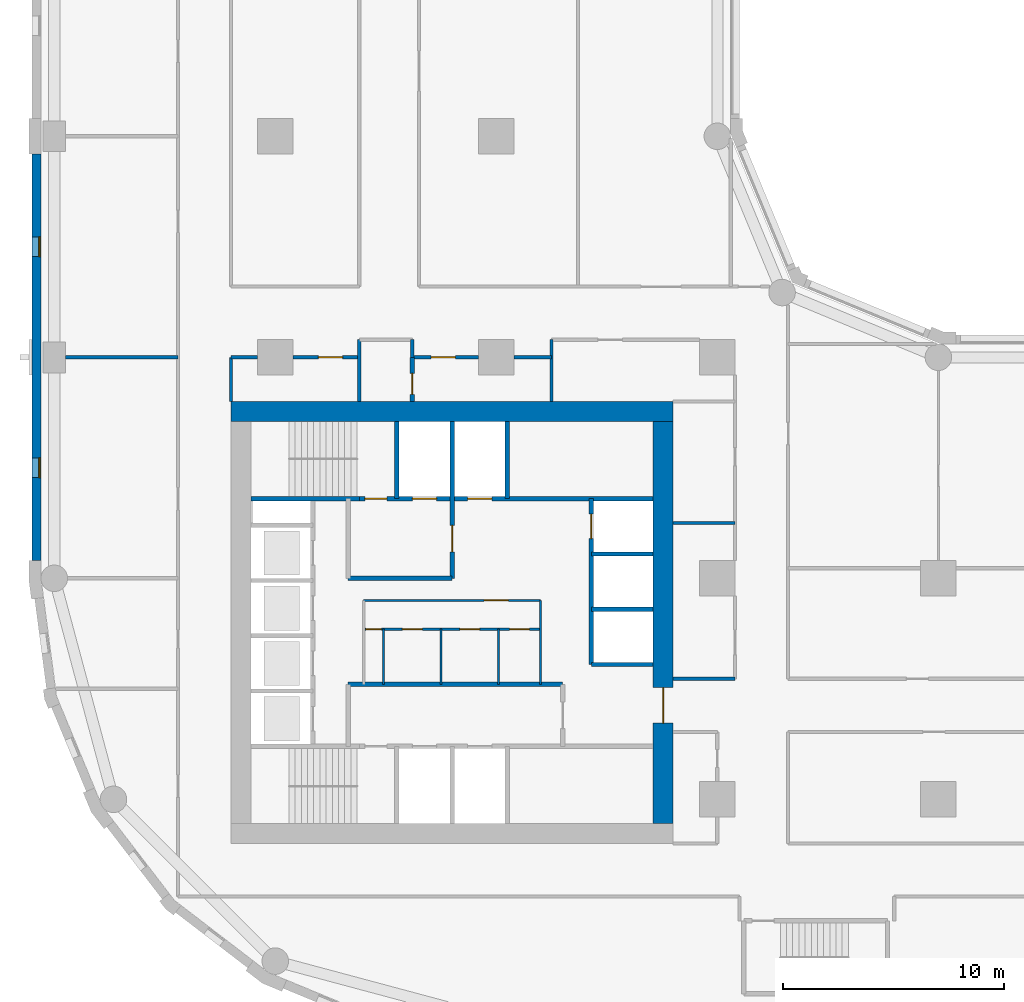
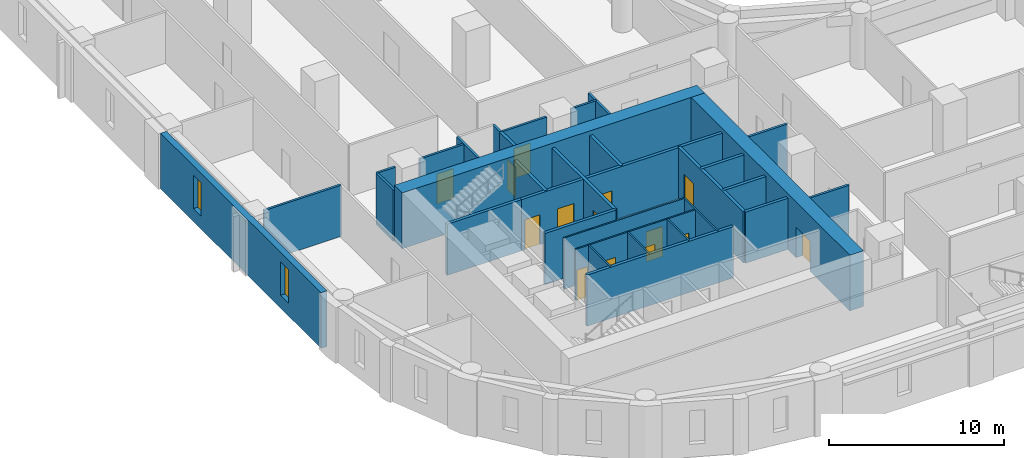
# One storey, part 3 of 10: 32 walls, 14 doors, 2 windows, 16 openings.
"""IFC4 building model written with IfcOpenShell, lengths in metres."""

from ifc_helpers import new_model, si_unit, direction, frame, frame_2d, origin, place, context, subcontext, project, spatial, rectangle, extrude, material, layer, layer_set, type_object, element, fill, save


model = new_model("IFC4")

# Units and contexts
model_context = context("Model", 3, precision=1e-05, world=origin(), true_north=direction((0.0, 1.0)))
body_context = subcontext(model_context, "Body", "Model", "MODEL_VIEW")
ifc_project = project(units=[si_unit("LENGTHUNIT", "METRE"), si_unit("AREAUNIT", "SQUARE_METRE"), si_unit("VOLUMEUNIT", "CUBIC_METRE"), si_unit("PLANEANGLEUNIT", "RADIAN"), si_unit("MASSUNIT", "GRAM", prefix="KILO")], contexts=[model_context])

# Site, building, storey
site_placement = place(None, origin())
site = spatial("IfcSite", under=ifc_project, at=site_placement, CompositionType="ELEMENT")
building_placement = place(site_placement, origin())
building = spatial("IfcBuilding", under=site, at=building_placement, Name="Qaws Garden Tower", CompositionType="ELEMENT")
storey_placement = place(building_placement, frame((0.0, 0.0, 74.39990234375)))
storey = spatial("IfcBuildingStorey", under=building, at=storey_placement, Name="L18", CompositionType="ELEMENT", Elevation=74.39990234375)

# Wall, opening, door
ifc_material_1 = material(Name="Blockwork", Category="masonry")
ifc_layer_1 = layer(ifc_material_1, 0.199951171875)
ifc_layer_set_1 = layer_set([ifc_layer_1], Name="Blockwork")
wall_type_1 = type_object("IfcWallType", Name="BLOCK WALL 200 EI 60", PredefinedType="PARTITIONING", material=ifc_layer_set_1)
wall_1_placement = place(storey_placement, frame((16.199951171875, 28.0, 0.0), z_axis=(0.0, 0.0, 1.0), x_axis=(0.0, 1.0, 0.0)))
wall_1 = element("IfcWall", 1, at=wall_1_placement, inside=storey, type_object=wall_type_1, Name="O-L18-wall-066", PredefinedType="PARTITIONING", context=body_context, shape_type="SweptSolid", body=[
    extrude(rectangle(XDim=2.0, YDim=0.199951171875, at=frame_2d((1.0, 0.0))), origin(), (0.0, 0.0, 1.0), 3.580078125),
])
opening_1_placement = place(wall_1_placement, frame((0.324951171875, 0.0, 0.0)))
opening_1 = element("IfcOpeningElement", 2, at=opening_1_placement, cuts=wall_1, Name="Opening A629", PredefinedType="OPENING", context=body_context, shape_type="SweptSolid", body=[
    extrude(rectangle(XDim=0.949951171875, YDim=2.10009765625, at=frame_2d((0.47509765625, 1.050048828125))), frame((0.0, 0.10986328125, 0.0), z_axis=(0.0, -1.0, 0.0), x_axis=(1.0, 0.0, 0.0)), (0.0, 0.0, 1.0), 0.219970703125),
])
ifc_material_2 = material(Name="Timber and glass door leaf", Category="wood")
door_type_1 = type_object("IfcDoorType", Name="GLAZED DOOR 950 X 2100", OperationType="SINGLE_SWING_LEFT", PredefinedType="DOOR", material=ifc_material_2)
door_1_placement = place(opening_1_placement, origin())
door_1 = element("IfcDoor", 3, at=door_1_placement, inside=storey, type_object=door_type_1, Name="O-L18-door-029", OperationType="SINGLE_SWING_LEFT", OverallHeight=2.10009765625, OverallWidth=0.949951171875, PredefinedType="DOOR", context=body_context, shape_type="SweptSolid", body=[
    extrude(rectangle(XDim=0.949951171875, YDim=2.10009765625, at=frame_2d((0.47509765625, 1.050048828125))), frame((0.0, 0.02490234375, 0.0), z_axis=(0.0, -1.0, 0.0), x_axis=(1.0, 0.0, 0.0)), (0.0, 0.0, 1.0), 0.050048828125),
])
fill(opening_1, door_1)

# Wall, openings, windows
ifc_material_3 = material(Name="Clay facing brick masonry", Category="masonry")
ifc_layer_2 = layer(ifc_material_3, 0.39990234375)
ifc_layer_set_2 = layer_set([ifc_layer_2], Name="Clay facing brick masonry")
wall_type_2 = type_object("IfcWallType", Name="Brick infill wall 400", PredefinedType="SOLIDWALL", material=ifc_layer_set_2)
wall_2_placement = place(storey_placement, frame((-0.800048828125, 39.199951171875, 0.0), z_axis=(0.0, 0.0, 1.0), x_axis=(0.0, -1.0, 0.0)))
wall_2 = element("IfcWall", 4, at=wall_2_placement, inside=storey, type_object=wall_type_2, Name="E-L18-infill-25", PredefinedType="SOLIDWALL", context=body_context, shape_type="SweptSolid", body=[
    extrude(rectangle(XDim=18.39990234375, YDim=0.39990234375, at=frame_2d((9.199951171875, 0.0))), origin(), (0.0, 0.0, 1.0), 3.900146484375),
])
opening_2_placement = place(wall_2_placement, frame((3.75, 0.0, 0.89990234375)))
opening_2 = element("IfcOpeningElement", 5, at=opening_2_placement, cuts=wall_2, Name="Opening W09", PredefinedType="OPENING", context=body_context, shape_type="SweptSolid", body=[
    extrude(rectangle(XDim=0.89990234375, YDim=2.35009765625, at=frame_2d((0.449951171875, 1.175048828125))), frame((0.0, 0.2099609375, 0.0), z_axis=(0.0, -1.0, 0.0), x_axis=(1.0, 0.0, 0.0)), (0.0, 0.0, 1.0), 0.419921875),
])
opening_3_placement = place(wall_2_placement, frame((13.75, 0.0, 0.89990234375)))
opening_3 = element("IfcOpeningElement", 6, at=opening_3_placement, cuts=wall_2, Name="Opening W09", PredefinedType="OPENING", context=body_context, shape_type="SweptSolid", body=[
    extrude(rectangle(XDim=0.89990234375, YDim=2.35009765625, at=frame_2d((0.449951171875, 1.175048828125))), frame((0.0, 0.2099609375, 0.0), z_axis=(0.0, -1.0, 0.0), x_axis=(1.0, 0.0, 0.0)), (0.0, 0.0, 1.0), 0.419921875),
])
ifc_material_4 = material(Name="Aluminium framed window, clear glazing", Category="aluminium")
window_type = type_object("IfcWindowType", Name="Slit window 900 x 2350", PartitioningType="SINGLE_PANEL", PredefinedType="WINDOW", material=ifc_material_4)
window_1_placement = place(opening_2_placement, origin())
window_1 = element("IfcWindow", 7, at=window_1_placement, inside=storey, type_object=window_type, Name="E-L18-window-25-0", OverallHeight=2.35009765625, OverallWidth=0.89990234375, PartitioningType="SINGLE_PANEL", PredefinedType="WINDOW", context=body_context, shape_type="SweptSolid", body=[
    extrude(rectangle(XDim=0.89990234375, YDim=2.35009765625, at=frame_2d((0.449951171875, 1.175048828125))), frame((0.0, 0.159912109375, 0.0), z_axis=(0.0, -1.0, 0.0), x_axis=(1.0, 0.0, 0.0)), (0.0, 0.0, 1.0), 0.06005859375),
])
fill(opening_2, window_1)
window_2_placement = place(opening_3_placement, origin())
window_2 = element("IfcWindow", 8, at=window_2_placement, inside=storey, type_object=window_type, Name="E-L18-window-26-0", OverallHeight=2.35009765625, OverallWidth=0.89990234375, PartitioningType="SINGLE_PANEL", PredefinedType="WINDOW", context=body_context, shape_type="SweptSolid", body=[
    extrude(rectangle(XDim=0.89990234375, YDim=2.35009765625, at=frame_2d((0.449951171875, 1.175048828125))), frame((0.0, 0.159912109375, 0.0), z_axis=(0.0, -1.0, 0.0), x_axis=(1.0, 0.0, 0.0)), (0.0, 0.0, 1.0), 0.06005859375),
])
fill(opening_3, window_2)

# Wall, openings, doors
ifc_material_5 = material(Name="Plasterboard")
ifc_layer_3 = layer(ifc_material_5, 0.10009765625)
ifc_layer_set_3 = layer_set([ifc_layer_3], Name="Plasterboard")
wall_type_3 = type_object("IfcWallType", Name="Core partition 100", PredefinedType="PARTITIONING", material=ifc_layer_set_3)
wall_3_placement = place(storey_placement, frame((14.0, 17.699951171875, 0.0), z_axis=(0.0, 0.0, 1.0), x_axis=(1.0, 0.0, 0.0)))
wall_3 = element("IfcWall", 9, at=wall_3_placement, inside=storey, type_object=wall_type_3, Name="Core partition", PredefinedType="PARTITIONING", context=body_context, shape_type="SweptSolid", body=[
    extrude(rectangle(XDim=8.0, YDim=0.10009765625, at=frame_2d((4.0, 0.0))), origin(), (0.0, 0.0, 1.0), 3.580078125),
])
opening_4_placement = place(wall_3_placement, frame((0.10009765625, 0.0, 0.0)))
opening_4 = element("IfcOpeningElement", 10, at=opening_4_placement, cuts=wall_3, Name="Opening XD18", PredefinedType="OPENING", context=body_context, shape_type="SweptSolid", body=[
    extrude(rectangle(XDim=0.699951171875, YDim=2.10009765625, at=frame_2d((0.35009765625, 1.050048828125))), frame((0.0, 0.06005859375, 0.0), z_axis=(0.0, -1.0, 0.0), x_axis=(1.0, 0.0, 0.0)), (0.0, 0.0, 1.0), 0.1201171875),
])
opening_5_placement = place(wall_3_placement, frame((1.75, 0.0, 0.0)))
opening_5 = element("IfcOpeningElement", 11, at=opening_5_placement, cuts=wall_3, Name="Opening WD19", PredefinedType="OPENING", context=body_context, shape_type="SweptSolid", body=[
    extrude(rectangle(XDim=0.89990234375, YDim=2.10009765625, at=frame_2d((0.449951171875, 1.050048828125))), frame((0.0, 0.06005859375, 0.0), z_axis=(0.0, -1.0, 0.0), x_axis=(1.0, 0.0, 0.0)), (0.0, 0.0, 1.0), 0.1201171875),
])
opening_6_placement = place(wall_3_placement, frame((4.35009765625, 0.0, 0.0)))
opening_6 = element("IfcOpeningElement", 12, at=opening_6_placement, cuts=wall_3, Name="Opening WD20", PredefinedType="OPENING", context=body_context, shape_type="SweptSolid", body=[
    extrude(rectangle(XDim=0.89990234375, YDim=2.10009765625, at=frame_2d((0.449951171875, 1.050048828125))), frame((0.0, 0.06005859375, 0.0), z_axis=(0.0, -1.0, 0.0), x_axis=(1.0, 0.0, 0.0)), (0.0, 0.0, 1.0), 0.1201171875),
])
opening_7_placement = place(wall_3_placement, frame((6.60009765625, 0.0, 0.0)))
opening_7 = element("IfcOpeningElement", 13, at=opening_7_placement, cuts=wall_3, Name="Opening WD21", PredefinedType="OPENING", context=body_context, shape_type="SweptSolid", body=[
    extrude(rectangle(XDim=0.89990234375, YDim=2.10009765625, at=frame_2d((0.449951171875, 1.050048828125))), frame((0.0, 0.06005859375, 0.0), z_axis=(0.0, -1.0, 0.0), x_axis=(1.0, 0.0, 0.0)), (0.0, 0.0, 1.0), 0.1201171875),
])
ifc_material_6 = material(Name="Timber", Category="wood")
door_type_2 = type_object("IfcDoorType", Name="Store door 700x2100", OperationType="SINGLE_SWING_LEFT", PredefinedType="DOOR", material=ifc_material_6)
door_2_placement = place(opening_4_placement, frame((0.699951171875, 0.0, 0.0), z_axis=(0.0, 0.0, 1.0), x_axis=(-1.0, 0.0, 0.0)))
door_2 = element("IfcDoor", 14, at=door_2_placement, inside=storey, type_object=door_type_2, Name="Cleaner's store door", OperationType="SINGLE_SWING_LEFT", OverallHeight=2.10009765625, OverallWidth=0.699951171875, PredefinedType="DOOR", context=body_context, shape_type="SweptSolid", body=[
    extrude(rectangle(XDim=0.699951171875, YDim=2.10009765625, at=frame_2d((0.35009765625, 1.050048828125))), frame((0.0, 0.02490234375, 0.0), z_axis=(0.0, -1.0, 0.0), x_axis=(1.0, 0.0, 0.0)), (0.0, 0.0, 1.0), 0.050048828125),
])
fill(opening_4, door_2)
ifc_material_7 = material(Name="Timber", Category="wood")
door_type_3 = type_object("IfcDoorType", Name="WC door 900x2100", OperationType="SINGLE_SWING_LEFT", PredefinedType="DOOR", material=ifc_material_7)
door_3_placement = place(opening_5_placement, frame((0.89990234375, 0.0, 0.0), z_axis=(0.0, 0.0, 1.0), x_axis=(-1.0, 0.0, 0.0)))
door_3 = element("IfcDoor", 15, at=door_3_placement, inside=storey, type_object=door_type_3, Name="Men's WC door", OperationType="SINGLE_SWING_LEFT", OverallHeight=2.10009765625, OverallWidth=0.89990234375, PredefinedType="DOOR", context=body_context, shape_type="SweptSolid", body=[
    extrude(rectangle(XDim=0.89990234375, YDim=2.10009765625, at=frame_2d((0.449951171875, 1.050048828125))), frame((0.0, 0.02490234375, 0.0), z_axis=(0.0, -1.0, 0.0), x_axis=(1.0, 0.0, 0.0)), (0.0, 0.0, 1.0), 0.050048828125),
])
fill(opening_5, door_3)
door_4_placement = place(opening_6_placement, frame((0.89990234375, 0.0, 0.0), z_axis=(0.0, 0.0, 1.0), x_axis=(-1.0, 0.0, 0.0)))
door_4 = element("IfcDoor", 16, at=door_4_placement, inside=storey, type_object=door_type_3, Name="Women's WC door", OperationType="SINGLE_SWING_LEFT", OverallHeight=2.10009765625, OverallWidth=0.89990234375, PredefinedType="DOOR", context=body_context, shape_type="SweptSolid", body=[
    extrude(rectangle(XDim=0.89990234375, YDim=2.10009765625, at=frame_2d((0.449951171875, 1.050048828125))), frame((0.0, 0.02490234375, 0.0), z_axis=(0.0, -1.0, 0.0), x_axis=(1.0, 0.0, 0.0)), (0.0, 0.0, 1.0), 0.050048828125),
])
fill(opening_6, door_4)
door_5_placement = place(opening_7_placement, frame((0.89990234375, 0.0, 0.0), z_axis=(0.0, 0.0, 1.0), x_axis=(-1.0, 0.0, 0.0)))
door_5 = element("IfcDoor", 17, at=door_5_placement, inside=storey, type_object=door_type_3, Name="Accessible WC door", OperationType="SINGLE_SWING_LEFT", OverallHeight=2.10009765625, OverallWidth=0.89990234375, PredefinedType="DOOR", context=body_context, shape_type="SweptSolid", body=[
    extrude(rectangle(XDim=0.89990234375, YDim=2.10009765625, at=frame_2d((0.449951171875, 1.050048828125))), frame((0.0, 0.02490234375, 0.0), z_axis=(0.0, -1.0, 0.0), x_axis=(1.0, 0.0, 0.0)), (0.0, 0.0, 1.0), 0.050048828125),
])
fill(opening_7, door_5)

# Wall, opening, door
wall_4_placement = place(storey_placement, frame((14.0, 19.0, 0.0), z_axis=(0.0, 0.0, 1.0), x_axis=(1.0, 0.0, 0.0)))
wall_4 = element("IfcWall", 18, at=wall_4_placement, inside=storey, type_object=wall_type_3, Name="Core partition", PredefinedType="PARTITIONING", context=body_context, shape_type="SweptSolid", body=[
    extrude(rectangle(XDim=8.0, YDim=0.10009765625, at=frame_2d((4.0, 0.0))), origin(), (0.0, 0.0, 1.0), 3.580078125),
])
opening_8_placement = place(wall_4_placement, frame((5.449951171875, 0.0, 0.0)))
opening_8 = element("IfcOpeningElement", 19, at=opening_8_placement, cuts=wall_4, Name="Opening WL17", PredefinedType="OPENING", context=body_context, shape_type="SweptSolid", body=[
    extrude(rectangle(XDim=1.10009765625, YDim=2.10009765625, at=frame_2d((0.550048828125, 1.050048828125))), frame((0.0, 0.06005859375, 0.0), z_axis=(0.0, -1.0, 0.0), x_axis=(1.0, 0.0, 0.0)), (0.0, 0.0, 1.0), 0.1201171875),
])
ifc_material_8 = material(Name="Timber", Category="wood")
door_type_4 = type_object("IfcDoorType", Name="WC lobby door 1100x2100", OperationType="SINGLE_SWING_LEFT", PredefinedType="DOOR", material=ifc_material_8)
door_6_placement = place(opening_8_placement, frame((1.10009765625, 0.0, 0.0), z_axis=(0.0, 0.0, 1.0), x_axis=(-1.0, 0.0, 0.0)))
door_6 = element("IfcDoor", 20, at=door_6_placement, inside=storey, type_object=door_type_4, Name="WC lobby door", OperationType="SINGLE_SWING_LEFT", OverallHeight=2.10009765625, OverallWidth=1.10009765625, PredefinedType="DOOR", context=body_context, shape_type="SweptSolid", body=[
    extrude(rectangle(XDim=1.10009765625, YDim=2.10009765625, at=frame_2d((0.550048828125, 1.050048828125))), frame((0.0, 0.02490234375, 0.0), z_axis=(0.0, -1.0, 0.0), x_axis=(1.0, 0.0, 0.0)), (0.0, 0.0, 1.0), 0.050048828125),
])
fill(opening_8, door_6)

# Walls
for number, where, z_axis, x_axis, name in (
    (21, (14.89990234375, 15.199951171875, 0.0), (0.0, 0.0, 1.0), (0.0, 1.0, 0.0), "Core partition"),
    (22, (17.5, 15.199951171875, 0.0), (0.0, 0.0, 1.0), (0.0, 1.0, 0.0), "Core partition"),
    (23, (20.10009765625, 15.199951171875, 0.0), (0.0, 0.0, 1.0), (0.0, 1.0, 0.0), "Core partition"),
):
    element("IfcWall", number, at=place(storey_placement, frame(where, z_axis=z_axis, x_axis=x_axis)), inside=storey, type_object=wall_type_3, Name=name, PredefinedType="PARTITIONING", context=body_context, shape_type="SweptSolid", body=[
        extrude(rectangle(XDim=2.5, YDim=0.10009765625, at=frame_2d((1.25, 0.0))), origin(), (0.0, 0.0, 1.0), 3.580078125),
    ])
wall_5_placement = place(storey_placement, frame((22.0, 15.199951171875, 0.0), z_axis=(0.0, 0.0, 1.0), x_axis=(0.0, 1.0, 0.0)))
element("IfcWall", 24, at=wall_5_placement, inside=storey, type_object=wall_type_3, Name="Core partition", PredefinedType="PARTITIONING", context=body_context, shape_type="SweptSolid", body=[
    extrude(rectangle(XDim=3.800048828125, YDim=0.10009765625, at=frame_2d((1.89990234375, 0.0))), origin(), (0.0, 0.0, 1.0), 3.580078125),
])
ifc_material_9 = material(Name="Concrete C80", Category="concrete")
ifc_layer_4 = layer(ifc_material_9, 0.199951171875)
ifc_layer_set_4 = layer_set([ifc_layer_4], Name="Concrete C80")
wall_type_4 = type_object("IfcWallType", Name="Core shaft wall 200 C80", PredefinedType="SHEAR", material=ifc_layer_set_4)
wall_6_placement = place(storey_placement, frame((13.300048828125, 15.199951171875, 0.0), z_axis=(0.0, 0.0, 1.0), x_axis=(1.0, 0.0, 0.0)))
element("IfcWall", 25, at=wall_6_placement, inside=storey, type_object=wall_type_4, Name="Shaft wall", PredefinedType="SHEAR", context=body_context, shape_type="SweptSolid", body=[
    extrude(rectangle(XDim=9.699951171875, YDim=0.199951171875, at=frame_2d((4.85009765625, 0.0))), origin(), (0.0, 0.0, 1.0), 3.580078125),
])
for number, where, z_axis, x_axis, name in (
    (26, (24.300048828125, 16.10009765625, 0.0), (0.0, 0.0, 1.0), (1.0, 0.0, 0.0), "Shaft wall"),
    (27, (24.300048828125, 18.60009765625, 0.0), (0.0, 0.0, 1.0), (1.0, 0.0, 0.0), "Shaft wall"),
):
    element("IfcWall", number, at=place(storey_placement, frame(where, z_axis=z_axis, x_axis=x_axis)), inside=storey, type_object=wall_type_4, Name=name, PredefinedType="SHEAR", context=body_context, shape_type="SweptSolid", body=[
        extrude(rectangle(XDim=2.800048828125, YDim=0.199951171875, at=frame_2d((1.39990234375, 0.0))), origin(), (0.0, 0.0, 1.0), 3.580078125),
    ])
wall_7_placement = place(storey_placement, frame((13.300048828125, 20.0, 0.0), z_axis=(0.0, 0.0, 1.0), x_axis=(1.0, 0.0, 0.0)))
element("IfcWall", 28, at=wall_7_placement, inside=storey, type_object=wall_type_4, Name="Shaft wall", PredefinedType="SHEAR", context=body_context, shape_type="SweptSolid", body=[
    extrude(rectangle(XDim=4.699951171875, YDim=0.199951171875, at=frame_2d((2.35009765625, 0.0))), origin(), (0.0, 0.0, 1.0), 3.580078125),
])
wall_8_placement = place(storey_placement, frame((24.300048828125, 21.10009765625, 0.0), z_axis=(0.0, 0.0, 1.0), x_axis=(1.0, 0.0, 0.0)))
element("IfcWall", 29, at=wall_8_placement, inside=storey, type_object=wall_type_4, Name="Shaft wall", PredefinedType="SHEAR", context=body_context, shape_type="SweptSolid", body=[
    extrude(rectangle(XDim=2.800048828125, YDim=0.199951171875, at=frame_2d((1.39990234375, 0.0))), origin(), (0.0, 0.0, 1.0), 3.580078125),
])
wall_9_placement = place(storey_placement, frame((8.89990234375, 23.60009765625, 0.0), z_axis=(0.0, 0.0, 1.0), x_axis=(1.0, 0.0, 0.0)))
element("IfcWall", 30, at=wall_9_placement, inside=storey, type_object=wall_type_4, Name="Shaft wall", PredefinedType="SHEAR", context=body_context, shape_type="SweptSolid", body=[
    extrude(rectangle(XDim=4.900146484375, YDim=0.199951171875, at=frame_2d((2.4501953125, 0.0))), origin(), (0.0, 0.0, 1.0), 3.580078125),
])

# Wall, openings, doors
wall_10_placement = place(storey_placement, frame((13.800048828125, 23.60009765625, 0.0), z_axis=(0.0, 0.0, 1.0), x_axis=(1.0, 0.0, 0.0)))
wall_10 = element("IfcWall", 31, at=wall_10_placement, inside=storey, type_object=wall_type_4, Name="Shaft wall", PredefinedType="SHEAR", context=body_context, shape_type="SweptSolid", body=[
    extrude(rectangle(XDim=13.300048828125, YDim=0.199951171875, at=frame_2d((6.64990234375, 0.0))), origin(), (0.0, 0.0, 1.0), 3.580078125),
])
opening_9_placement = place(wall_10_placement, frame((2.39990234375, 0.0, 0.0)))
opening_9 = element("IfcOpeningElement", 32, at=opening_9_placement, cuts=wall_10, Name="Opening LD08", PredefinedType="OPENING", context=body_context, shape_type="SweptSolid", body=[
    extrude(rectangle(XDim=1.10009765625, YDim=2.10009765625, at=frame_2d((0.550048828125, 1.050048828125))), frame((0.0, 0.10986328125, 0.0), z_axis=(0.0, -1.0, 0.0), x_axis=(1.0, 0.0, 0.0)), (0.0, 0.0, 1.0), 0.219970703125),
])
opening_10_placement = place(wall_10_placement, frame((4.89990234375, 0.0, 0.0)))
opening_10 = element("IfcOpeningElement", 33, at=opening_10_placement, cuts=wall_10, Name="Opening LD09", PredefinedType="OPENING", context=body_context, shape_type="SweptSolid", body=[
    extrude(rectangle(XDim=1.10009765625, YDim=2.10009765625, at=frame_2d((0.550048828125, 1.050048828125))), frame((0.0, 0.10986328125, 0.0), z_axis=(0.0, -1.0, 0.0), x_axis=(1.0, 0.0, 0.0)), (0.0, 0.0, 1.0), 0.219970703125),
])
opening_11_placement = place(wall_10_placement, frame((0.25, 0.0, 0.0)))
opening_11 = element("IfcOpeningElement", 34, at=opening_11_placement, cuts=wall_10, Name="Opening SD11", PredefinedType="OPENING", context=body_context, shape_type="SweptSolid", body=[
    extrude(rectangle(XDim=1.0, YDim=2.10009765625, at=frame_2d((0.5, 1.050048828125))), frame((0.0, 0.10986328125, 0.0), z_axis=(0.0, -1.0, 0.0), x_axis=(1.0, 0.0, 0.0)), (0.0, 0.0, 1.0), 0.219970703125),
])
ifc_material_10 = material(Name="Steel S235", Category="steel")
door_type_5 = type_object("IfcDoorType", Name="Landing door 1100x2100", OperationType="DOUBLE_DOOR_SLIDING", PredefinedType="DOOR", material=ifc_material_10)
door_7_placement = place(opening_9_placement, origin())
door_7 = element("IfcDoor", 35, at=door_7_placement, inside=storey, type_object=door_type_5, Name="Lift FF3 landing door", OperationType="DOUBLE_DOOR_SLIDING", OverallHeight=2.10009765625, OverallWidth=1.10009765625, PredefinedType="DOOR", context=body_context, shape_type="SweptSolid", body=[
    extrude(rectangle(XDim=1.10009765625, YDim=2.10009765625, at=frame_2d((0.550048828125, 1.050048828125))), frame((0.0, 0.02490234375, 0.0), z_axis=(0.0, -1.0, 0.0), x_axis=(1.0, 0.0, 0.0)), (0.0, 0.0, 1.0), 0.050048828125),
])
fill(opening_9, door_7)
door_8_placement = place(opening_10_placement, origin())
door_8 = element("IfcDoor", 36, at=door_8_placement, inside=storey, type_object=door_type_5, Name="Lift SV2 landing door", OperationType="DOUBLE_DOOR_SLIDING", OverallHeight=2.10009765625, OverallWidth=1.10009765625, PredefinedType="DOOR", context=body_context, shape_type="SweptSolid", body=[
    extrude(rectangle(XDim=1.10009765625, YDim=2.10009765625, at=frame_2d((0.550048828125, 1.050048828125))), frame((0.0, 0.02490234375, 0.0), z_axis=(0.0, -1.0, 0.0), x_axis=(1.0, 0.0, 0.0)), (0.0, 0.0, 1.0), 0.050048828125),
])
fill(opening_10, door_8)
ifc_material_11 = material(Name="Steel S235", Category="steel")
door_type_6 = type_object("IfcDoorType", Name="Stair door 1000x2100", OperationType="SINGLE_SWING_RIGHT", PredefinedType="DOOR", material=ifc_material_11)
door_9_placement = place(opening_11_placement, origin())
door_9 = element("IfcDoor", 37, at=door_9_placement, inside=storey, type_object=door_type_6, Name="Stair 4 door", OperationType="SINGLE_SWING_RIGHT", OverallHeight=2.10009765625, OverallWidth=1.0, PredefinedType="DOOR", context=body_context, shape_type="SweptSolid", body=[
    extrude(rectangle(XDim=1.0, YDim=2.10009765625, at=frame_2d((0.5, 1.050048828125))), frame((0.0, 0.02490234375, 0.0), z_axis=(0.0, -1.0, 0.0), x_axis=(1.0, 0.0, 0.0)), (0.0, 0.0, 1.0), 0.050048828125),
])
fill(opening_11, door_9)

# Wall
wall_11_placement = place(storey_placement, frame((15.5, 23.60009765625, 0.0), z_axis=(0.0, 0.0, 1.0), x_axis=(0.0, 1.0, 0.0)))
element("IfcWall", 38, at=wall_11_placement, inside=storey, type_object=wall_type_4, Name="Shaft wall", PredefinedType="SHEAR", context=body_context, shape_type="SweptSolid", body=[
    extrude(rectangle(XDim=3.5, YDim=0.199951171875, at=frame_2d((1.75, 0.0))), origin(), (0.0, 0.0, 1.0), 3.580078125),
])

# Wall, opening, door
wall_12_placement = place(storey_placement, frame((18.0, 20.0, 0.0), z_axis=(0.0, 0.0, 1.0), x_axis=(0.0, 1.0, 0.0)))
wall_12 = element("IfcWall", 39, at=wall_12_placement, inside=storey, type_object=wall_type_4, Name="Shaft wall", PredefinedType="SHEAR", context=body_context, shape_type="SweptSolid", body=[
    extrude(rectangle(XDim=7.10009765625, YDim=0.199951171875, at=frame_2d((3.550048828125, 0.0))), origin(), (0.0, 0.0, 1.0), 3.580078125),
])
opening_12_placement = place(wall_12_placement, frame((1.199951171875, 0.0, 0.0)))
opening_12 = element("IfcOpeningElement", 40, at=opening_12_placement, cuts=wall_12, Name="Opening FD16", PredefinedType="OPENING", context=body_context, shape_type="SweptSolid", body=[
    extrude(rectangle(XDim=1.199951171875, YDim=2.10009765625, at=frame_2d((0.60009765625, 1.050048828125))), frame((0.0, 0.10986328125, 0.0), z_axis=(0.0, -1.0, 0.0), x_axis=(1.0, 0.0, 0.0)), (0.0, 0.0, 1.0), 0.219970703125),
])
ifc_material_12 = material(Name="Steel S235", Category="steel")
door_type_7 = type_object("IfcDoorType", Name="Lobby door 1200x2100", OperationType="DOUBLE_DOOR_SINGLE_SWING", PredefinedType="DOOR", material=ifc_material_12)
door_10_placement = place(opening_12_placement, origin())
door_10 = element("IfcDoor", 41, at=door_10_placement, inside=storey, type_object=door_type_7, Name="Fire-fighting lobby door", OperationType="DOUBLE_DOOR_SINGLE_SWING", OverallHeight=2.10009765625, OverallWidth=1.199951171875, PredefinedType="DOOR", context=body_context, shape_type="SweptSolid", body=[
    extrude(rectangle(XDim=1.199951171875, YDim=2.10009765625, at=frame_2d((0.60009765625, 1.050048828125))), frame((0.0, 0.02490234375, 0.0), z_axis=(0.0, -1.0, 0.0), x_axis=(1.0, 0.0, 0.0)), (0.0, 0.0, 1.0), 0.050048828125),
])
fill(opening_12, door_10)

# Wall
wall_13_placement = place(storey_placement, frame((20.5, 23.60009765625, 0.0), z_axis=(0.0, 0.0, 1.0), x_axis=(0.0, 1.0, 0.0)))
element("IfcWall", 42, at=wall_13_placement, inside=storey, type_object=wall_type_4, Name="Shaft wall", PredefinedType="SHEAR", context=body_context, shape_type="SweptSolid", body=[
    extrude(rectangle(XDim=3.5, YDim=0.199951171875, at=frame_2d((1.75, 0.0))), origin(), (0.0, 0.0, 1.0), 3.580078125),
])

# Wall, opening, door
wall_14_placement = place(storey_placement, frame((24.300048828125, 16.10009765625, 0.0), z_axis=(0.0, 0.0, 1.0), x_axis=(0.0, 1.0, 0.0)))
wall_14 = element("IfcWall", 43, at=wall_14_placement, inside=storey, type_object=wall_type_4, Name="Shaft wall", PredefinedType="SHEAR", context=body_context, shape_type="SweptSolid", body=[
    extrude(rectangle(XDim=7.5, YDim=0.199951171875, at=frame_2d((3.75, 0.0))), origin(), (0.0, 0.0, 1.0), 3.580078125),
])
opening_13_placement = place(wall_14_placement, frame((5.699951171875, 0.0, 0.0)))
opening_13 = element("IfcOpeningElement", 44, at=opening_13_placement, cuts=wall_14, Name="Opening LD05", PredefinedType="OPENING", context=body_context, shape_type="SweptSolid", body=[
    extrude(rectangle(XDim=1.10009765625, YDim=2.10009765625, at=frame_2d((0.550048828125, 1.050048828125))), frame((0.0, 0.10986328125, 0.0), z_axis=(0.0, -1.0, 0.0), x_axis=(1.0, 0.0, 0.0)), (0.0, 0.0, 1.0), 0.219970703125),
])
door_11_placement = place(opening_13_placement, origin())
door_11 = element("IfcDoor", 45, at=door_11_placement, inside=storey, type_object=door_type_5, Name="Lift E3 landing door", OperationType="DOUBLE_DOOR_SLIDING", OverallHeight=2.10009765625, OverallWidth=1.10009765625, PredefinedType="DOOR", context=body_context, shape_type="SweptSolid", body=[
    extrude(rectangle(XDim=1.10009765625, YDim=2.10009765625, at=frame_2d((0.550048828125, 1.050048828125))), frame((0.0, 0.02490234375, 0.0), z_axis=(0.0, -1.0, 0.0), x_axis=(1.0, 0.0, 0.0)), (0.0, 0.0, 1.0), 0.050048828125),
])
fill(opening_13, door_11)

ifc_material_13 = material(Name="Concrete C80", Category="concrete")
ifc_layer_5 = layer(ifc_material_13, 0.89990234375)
ifc_layer_set_5 = layer_set([ifc_layer_5], Name="Concrete C80")
wall_type_5 = type_object("IfcWallType", Name="Core wall 900 C80", PredefinedType="SHEAR", material=ifc_layer_set_5)
wall_15_placement = place(storey_placement, frame((27.550048828125, 8.89990234375, 0.0), z_axis=(0.0, 0.0, 1.0), x_axis=(0.0, 1.0, 0.0)))
wall_15 = element("IfcWall", 46, at=wall_15_placement, inside=storey, type_object=wall_type_5, Name="Core wall L18 east", PredefinedType="SHEAR", context=body_context, shape_type="SweptSolid", body=[
    extrude(rectangle(XDim=18.2001953125, YDim=0.89990234375, at=frame_2d((9.10009765625, 0.0))), origin(), (0.0, 0.0, 1.0), 3.900146484375),
])
opening_14_placement = place(wall_15_placement, frame((4.550048828125, 0.0, 0.0)))
opening_14 = element("IfcOpeningElement", 47, at=opening_14_placement, cuts=wall_15, Name="Opening ED22", PredefinedType="OPENING", context=body_context, shape_type="SweptSolid", body=[
    extrude(rectangle(XDim=1.60009765625, YDim=2.10009765625, at=frame_2d((0.800048828125, 1.050048828125))), frame((0.0, 0.4599609375, 0.0), z_axis=(0.0, -1.0, 0.0), x_axis=(1.0, 0.0, 0.0)), (0.0, 0.0, 1.0), 0.919921875),
])
ifc_material_14 = material(Name="Steel S235", Category="steel")
door_type_8 = type_object("IfcDoorType", Name="Core entrance door 1600x2100", OperationType="DOUBLE_DOOR_SINGLE_SWING", PredefinedType="DOOR", material=ifc_material_14)
door_12_placement = place(opening_14_placement, origin())
door_12 = element("IfcDoor", 48, at=door_12_placement, inside=storey, type_object=door_type_8, Name="Core entrance door", OperationType="DOUBLE_DOOR_SINGLE_SWING", OverallHeight=2.10009765625, OverallWidth=1.60009765625, PredefinedType="DOOR", context=body_context, shape_type="SweptSolid", body=[
    extrude(rectangle(XDim=1.60009765625, YDim=2.10009765625, at=frame_2d((0.800048828125, 1.050048828125))), frame((0.0, 0.02490234375, 0.0), z_axis=(0.0, -1.0, 0.0), x_axis=(1.0, 0.0, 0.0)), (0.0, 0.0, 1.0), 0.050048828125),
])
fill(opening_14, door_12)

# Walls
wall_16_placement = place(storey_placement, frame((28.0, 27.550048828125, 0.0), z_axis=(0.0, 0.0, 1.0), x_axis=(-1.0, 0.0, 0.0)))
element("IfcWall", 49, at=wall_16_placement, inside=storey, type_object=wall_type_5, Name="Core wall L18 north", PredefinedType="SHEAR", context=body_context, shape_type="SweptSolid", body=[
    extrude(rectangle(XDim=20.0, YDim=0.89990234375, at=frame_2d((10.0, 0.0))), origin(), (0.0, 0.0, 1.0), 3.900146484375),
])
ifc_material_15 = material(Name="Gypsum board partition")
ifc_layer_6 = layer(ifc_material_15, 0.14990234375)
ifc_layer_set_6 = layer_set([ifc_layer_6], Name="Gypsum board partition")
wall_type_6 = type_object("IfcWallType", Name="PARTITION 150 EI 60", PredefinedType="PARTITIONING", material=ifc_layer_set_6)
wall_17_placement = place(storey_placement, frame((8.0, 28.0, 0.0), z_axis=(0.0, 0.0, 1.0), x_axis=(0.0, 1.0, 0.0)))
element("IfcWall", 50, at=wall_17_placement, inside=storey, type_object=wall_type_6, Name="O-L18-wall-005", PredefinedType="PARTITIONING", context=body_context, shape_type="SweptSolid", body=[
    extrude(rectangle(XDim=2.0, YDim=0.14990234375, at=frame_2d((1.0, 0.0))), origin(), (0.0, 0.0, 1.0), 3.580078125),
])
wall_18_placement = place(storey_placement, frame((13.800048828125, 28.0, 0.0), z_axis=(0.0, 0.0, 1.0), x_axis=(0.0, 1.0, 0.0)))
element("IfcWall", 51, at=wall_18_placement, inside=storey, type_object=wall_type_6, Name="O-L18-wall-008", PredefinedType="PARTITIONING", context=body_context, shape_type="SweptSolid", body=[
    extrude(rectangle(XDim=2.800048828125, YDim=0.14990234375, at=frame_2d((1.39990234375, 0.0))), origin(), (0.0, 0.0, 1.0), 3.580078125),
])
wall_19_placement = place(storey_placement, frame((16.199951171875, 30.0, 0.0), z_axis=(0.0, 0.0, 1.0), x_axis=(0.0, 1.0, 0.0)))
element("IfcWall", 52, at=wall_19_placement, inside=storey, type_object=wall_type_6, Name="O-L18-wall-010", PredefinedType="PARTITIONING", context=body_context, shape_type="SweptSolid", body=[
    extrude(rectangle(XDim=0.800048828125, YDim=0.14990234375, at=frame_2d((0.39990234375, 0.0))), origin(), (0.0, 0.0, 1.0), 3.580078125),
])
for number, where, z_axis, x_axis, name in (
    (53, (22.5, 28.0, 0.0), (0.0, 0.0, 1.0), (0.0, 1.0, 0.0), "O-L18-wall-013"),
    (54, (28.0, 15.449951171875, 0.0), (0.0, 0.0, 1.0), (1.0, 0.0, 0.0), "O-L18-wall-040"),
    (55, (28.0, 22.5, 0.0), (0.0, 0.0, 1.0), (1.0, 0.0, 0.0), "O-L18-wall-046"),
):
    element("IfcWall", number, at=place(storey_placement, frame(where, z_axis=z_axis, x_axis=x_axis)), inside=storey, type_object=wall_type_6, Name=name, PredefinedType="PARTITIONING", context=body_context, shape_type="SweptSolid", body=[
        extrude(rectangle(XDim=2.800048828125, YDim=0.14990234375, at=frame_2d((1.39990234375, 0.0))), origin(), (0.0, 0.0, 1.0), 3.580078125),
    ])
wall_20_placement = place(storey_placement, frame((0.5, 30.0, 0.0), z_axis=(0.0, 0.0, 1.0), x_axis=(1.0, 0.0, 0.0)))
element("IfcWall", 56, at=wall_20_placement, inside=storey, type_object=wall_type_6, Name="O-L18-wall-048", PredefinedType="PARTITIONING", context=body_context, shape_type="SweptSolid", body=[
    extrude(rectangle(XDim=5.10009765625, YDim=0.14990234375, at=frame_2d((2.550048828125, 0.0))), origin(), (0.0, 0.0, 1.0), 3.580078125),
])
wall_21_placement = place(storey_placement, frame((8.0, 30.0, 0.0), z_axis=(0.0, 0.0, 1.0), x_axis=(1.0, 0.0, 0.0)))
element("IfcWall", 57, at=wall_21_placement, inside=storey, type_object=wall_type_6, Name="O-L18-wall-049", PredefinedType="PARTITIONING", context=body_context, shape_type="SweptSolid", body=[
    extrude(rectangle(XDim=1.199951171875, YDim=0.14990234375, at=frame_2d((0.60009765625, 0.0))), origin(), (0.0, 0.0, 1.0), 3.580078125),
])

# Wall, opening, door
wall_22_placement = place(storey_placement, frame((10.800048828125, 30.0, 0.0), z_axis=(0.0, 0.0, 1.0), x_axis=(1.0, 0.0, 0.0)))
wall_22 = element("IfcWall", 58, at=wall_22_placement, inside=storey, type_object=wall_type_6, Name="O-L18-wall-050", PredefinedType="PARTITIONING", context=body_context, shape_type="SweptSolid", body=[
    extrude(rectangle(XDim=3.0, YDim=0.14990234375, at=frame_2d((1.5, 0.0))), origin(), (0.0, 0.0, 1.0), 3.580078125),
])
opening_15_placement = place(wall_22_placement, frame((1.14990234375, 0.0, 0.0)))
opening_15 = element("IfcOpeningElement", 59, at=opening_15_placement, cuts=wall_22, Name="Opening A609", PredefinedType="OPENING", context=body_context, shape_type="SweptSolid", body=[
    extrude(rectangle(XDim=1.10009765625, YDim=2.10009765625, at=frame_2d((0.550048828125, 1.050048828125))), frame((0.0, 0.0849609375, 0.0), z_axis=(0.0, -1.0, 0.0), x_axis=(1.0, 0.0, 0.0)), (0.0, 0.0, 1.0), 0.169921875),
])
ifc_material_16 = material(Name="Timber door leaf", Category="wood")
door_type_9 = type_object("IfcDoorType", Name="SERVICE ROOM DOOR 1100 X 2100", OperationType="SINGLE_SWING_LEFT", PredefinedType="DOOR", material=ifc_material_16)
door_13_placement = place(opening_15_placement, frame((1.10009765625, 0.0, 0.0), z_axis=(0.0, 0.0, 1.0), x_axis=(-1.0, 0.0, 0.0)))
door_13 = element("IfcDoor", 60, at=door_13_placement, inside=storey, type_object=door_type_9, Name="O-L18-door-009", OperationType="SINGLE_SWING_LEFT", OverallHeight=2.10009765625, OverallWidth=1.10009765625, PredefinedType="DOOR", context=body_context, shape_type="SweptSolid", body=[
    extrude(rectangle(XDim=1.10009765625, YDim=2.10009765625, at=frame_2d((0.550048828125, 1.050048828125))), frame((0.0, 0.02490234375, 0.0), z_axis=(0.0, -1.0, 0.0), x_axis=(1.0, 0.0, 0.0)), (0.0, 0.0, 1.0), 0.050048828125),
])
fill(opening_15, door_13)

wall_23_placement = place(storey_placement, frame((16.199951171875, 30.0, 0.0), z_axis=(0.0, 0.0, 1.0), x_axis=(1.0, 0.0, 0.0)))
wall_23 = element("IfcWall", 61, at=wall_23_placement, inside=storey, type_object=wall_type_6, Name="O-L18-wall-051", PredefinedType="PARTITIONING", context=body_context, shape_type="SweptSolid", body=[
    extrude(rectangle(XDim=3.0, YDim=0.14990234375, at=frame_2d((1.5, 0.0))), origin(), (0.0, 0.0, 1.0), 3.580078125),
])
opening_16_placement = place(wall_23_placement, frame((0.85009765625, 0.0, 0.0)))
opening_16 = element("IfcOpeningElement", 62, at=opening_16_placement, cuts=wall_23, Name="Opening A611", PredefinedType="OPENING", context=body_context, shape_type="SweptSolid", body=[
    extrude(rectangle(XDim=1.10009765625, YDim=2.10009765625, at=frame_2d((0.550048828125, 1.050048828125))), frame((0.0, 0.0849609375, 0.0), z_axis=(0.0, -1.0, 0.0), x_axis=(1.0, 0.0, 0.0)), (0.0, 0.0, 1.0), 0.169921875),
])
door_14_placement = place(opening_16_placement, frame((1.10009765625, 0.0, 0.0), z_axis=(0.0, 0.0, 1.0), x_axis=(-1.0, 0.0, 0.0)))
door_14 = element("IfcDoor", 63, at=door_14_placement, inside=storey, type_object=door_type_9, Name="O-L18-door-011", OperationType="SINGLE_SWING_RIGHT", OverallHeight=2.10009765625, OverallWidth=1.10009765625, PredefinedType="DOOR", context=body_context, shape_type="SweptSolid", body=[
    extrude(rectangle(XDim=1.10009765625, YDim=2.10009765625, at=frame_2d((0.550048828125, 1.050048828125))), frame((0.0, 0.02490234375, 0.0), z_axis=(0.0, -1.0, 0.0), x_axis=(1.0, 0.0, 0.0)), (0.0, 0.0, 1.0), 0.050048828125),
])
fill(opening_16, door_14)

# Wall
wall_24_placement = place(storey_placement, frame((20.800048828125, 30.0, 0.0), z_axis=(0.0, 0.0, 1.0), x_axis=(1.0, 0.0, 0.0)))
element("IfcWall", 64, at=wall_24_placement, inside=storey, type_object=wall_type_6, Name="O-L18-wall-052", PredefinedType="PARTITIONING", context=body_context, shape_type="SweptSolid", body=[
    extrude(rectangle(XDim=1.699951171875, YDim=0.14990234375, at=frame_2d((0.85009765625, 0.0))), origin(), (0.0, 0.0, 1.0), 3.580078125),
])

save(model, "model.ifc")
